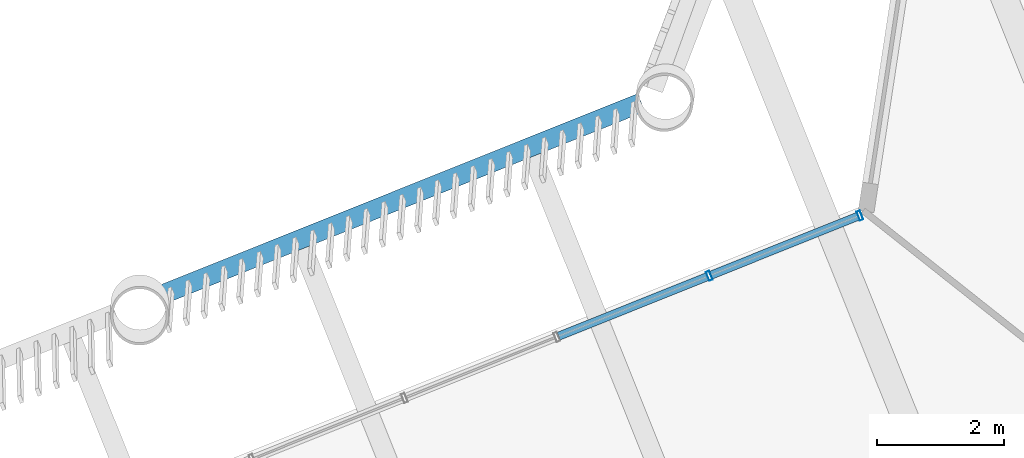
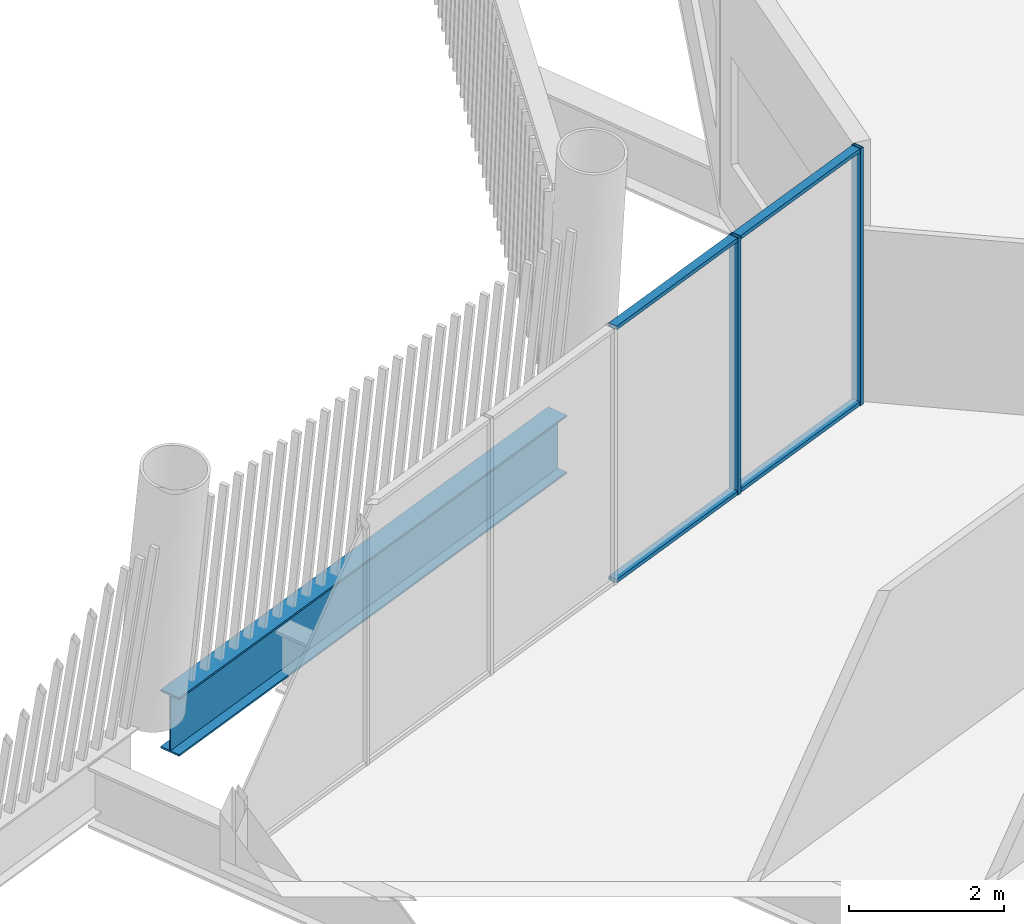
# One storey, part 12 of 27: 6 members, 1 beam, 1 element without a shape of its own.
"""IFC4 building model written with IfcOpenShell, lengths in metres."""

from ifc_helpers import new_model, si_unit, direction, frame, origin, origin_2d, place, context, subcontext, project, spatial, hollow_rectangle, i_section, extrude, material, layer, layer_set, material_profile, profile_set, type_object, element, aggregate, save


model = new_model("IFC4")

# Units and contexts
model_context = context("Model", 3, precision=1e-05, world=origin(), true_north=direction((0.0, 1.0)))
body_context = subcontext(model_context, "Body", "Model", "MODEL_VIEW")
ifc_project = project(units=[si_unit("LENGTHUNIT", "METRE"), si_unit("AREAUNIT", "SQUARE_METRE"), si_unit("VOLUMEUNIT", "CUBIC_METRE"), si_unit("PLANEANGLEUNIT", "RADIAN"), si_unit("MASSUNIT", "GRAM", prefix="KILO")], contexts=[model_context])

# Site, building, storey
site_placement = place(None, origin())
site = spatial("IfcSite", under=ifc_project, at=site_placement, CompositionType="ELEMENT")
building_placement = place(site_placement, origin())
building = spatial("IfcBuilding", under=site, at=building_placement, Name="Tarsis Ring Headquarters", CompositionType="ELEMENT")
storey_placement = place(building_placement, frame((0.0, 0.0, 373.39990234375)))
storey = spatial("IfcBuildingStorey", under=building, at=storey_placement, Name="L88", CompositionType="ELEMENT", Elevation=373.39990234375)

# Curtain wall, members
ifc_material_1 = material(Name="Aluminium curtain wall", Category="aluminium")
ifc_layer = layer(ifc_material_1, 0.14990234375)
ifc_layer_set = layer_set([ifc_layer], Name="Curtain wall tower unit")
curtain_wall_type = type_object("IfcCurtainWallType", Name="Curtain wall tower unit", PredefinedType="NOTDEFINED", material=ifc_layer_set)
curtain_wall_placement = place(storey_placement, origin())
curtain_wall = element("IfcCurtainWall", 1, at=curtain_wall_placement, inside=storey, type_object=curtain_wall_type, Name="Curtain wall L88-31", PredefinedType="NOTDEFINED")
ifc_material_2 = material(Name="Aluminium mullion", Category="aluminium")
ifc_material_profile_1 = material_profile(ifc_material_2, hollow_rectangle(XDim=0.14990234375, YDim=0.06005859375, WallThickness=0.0048828125, at=origin_2d()), Name="RHS 150x60x5")
ifc_profile_set_1 = profile_set([ifc_material_profile_1], Name="Aluminium mullion")
member_type_1 = type_object("IfcMemberType", Name="Curtain wall mullion tower unit RHS 150x60x5", PredefinedType="MULLION", material=ifc_profile_set_1)
member_1_placement = place(storey_placement, frame((-25.654296875, 2.511474609375, 0.0), z_axis=(0.0, 0.0, 1.0), x_axis=(0.372015909999, -0.928226353164, 0.0)))
member_1 = element("IfcMember", 2, at=member_1_placement, type_object=member_type_1, Name="CW-T mullion 1", PredefinedType="MULLION", context=body_context, shape_type="SweptSolid", body=[
    extrude(hollow_rectangle(XDim=0.14990234375, YDim=0.06005859375, WallThickness=0.0048828125, at=origin_2d()), origin(), (0.0, 0.0, 1.0), 4.0400390625),
])
member_2_placement = place(storey_placement, frame((-28.021484375, 1.562744140625, 0.0), z_axis=(0.0, 0.0, 1.0), x_axis=(0.372015909999, -0.928226353164, 0.0)))
member_2 = element("IfcMember", 3, at=member_2_placement, type_object=member_type_1, Name="CW-T mullion 2", PredefinedType="MULLION", context=body_context, shape_type="SweptSolid", body=[
    extrude(hollow_rectangle(XDim=0.14990234375, YDim=0.06005859375, WallThickness=0.0048828125, at=origin_2d()), origin(), (0.0, 0.0, 1.0), 4.0400390625),
])
ifc_material_3 = material(Name="Aluminium transom", Category="aluminium")
ifc_material_profile_2 = material_profile(ifc_material_3, hollow_rectangle(XDim=0.1298828125, YDim=0.06005859375, WallThickness=0.0048828125, at=origin_2d()), Name="RHS 130x60x5")
ifc_profile_set_2 = profile_set([ifc_material_profile_2], Name="Aluminium transom")
member_type_2 = type_object("IfcMemberType", Name="Curtain wall transom tower unit RHS 130x60x5", PredefinedType="USERDEFINED", material=ifc_profile_set_2)
member_3_placement = place(storey_placement, frame((-25.68212890625, 2.500244140625, 0.030029296875), z_axis=(-0.928246625148, -0.371965324864, 0.0), x_axis=(0.371965324864, -0.928246625148, 0.0)))
member_3 = element("IfcMember", 4, at=member_3_placement, type_object=member_type_2, Name="CW-T transom 1.1", ObjectType="TRANSOM", PredefinedType="USERDEFINED", context=body_context, shape_type="SweptSolid", body=[
    extrude(hollow_rectangle(XDim=0.1298828125, YDim=0.06005859375, WallThickness=0.0048828125, at=origin_2d()), origin(), (0.0, 0.0, 1.0), 2.490234375),
])
member_4_placement = place(storey_placement, frame((-25.68212890625, 2.500244140625, 4.010009765625), z_axis=(-0.928246625148, -0.371965324864, 0.0), x_axis=(0.371965324864, -0.928246625148, 0.0)))
member_4 = element("IfcMember", 5, at=member_4_placement, type_object=member_type_2, Name="CW-T transom 1.2", ObjectType="TRANSOM", PredefinedType="USERDEFINED", context=body_context, shape_type="SweptSolid", body=[
    extrude(hollow_rectangle(XDim=0.1298828125, YDim=0.06005859375, WallThickness=0.0048828125, at=origin_2d()), origin(), (0.0, 0.0, 1.0), 2.490234375),
])
member_5_placement = place(storey_placement, frame((-28.04931640625, 1.551513671875, 0.030029296875), z_axis=(-0.928235984201, -0.371991878452, 0.0), x_axis=(0.371991878452, -0.928235984201, 0.0)))
member_5 = element("IfcMember", 6, at=member_5_placement, type_object=member_type_2, Name="CW-T transom 2.1", ObjectType="TRANSOM", PredefinedType="USERDEFINED", context=body_context, shape_type="SweptSolid", body=[
    extrude(hollow_rectangle(XDim=0.1298828125, YDim=0.06005859375, WallThickness=0.0048828125, at=origin_2d()), origin(), (0.0, 0.0, 1.0), 2.520263671875),
])
member_6_placement = place(storey_placement, frame((-28.04931640625, 1.551513671875, 4.010009765625), z_axis=(-0.928235984201, -0.371991878452, 0.0), x_axis=(0.371991878452, -0.928235984201, 0.0)))
member_6 = element("IfcMember", 7, at=member_6_placement, type_object=member_type_2, Name="CW-T transom 2.2", ObjectType="TRANSOM", PredefinedType="USERDEFINED", context=body_context, shape_type="SweptSolid", body=[
    extrude(hollow_rectangle(XDim=0.1298828125, YDim=0.06005859375, WallThickness=0.0048828125, at=origin_2d()), origin(), (0.0, 0.0, 1.0), 2.520263671875),
])
aggregate(curtain_wall, [member_1, member_2, member_3, member_4, member_5, member_6])

# Beam
ifc_material_4 = material(Name="Structural steel S355", Category="steel")
ifc_material_profile_3 = material_profile(ifc_material_4, i_section(OverallWidth=0.3046875, OverallDepth=0.91943359375, WebThickness=0.017333984375, FlangeThickness=0.02783203125, at=origin_2d()), Name="W36x170")
ifc_profile_set_3 = profile_set([ifc_material_profile_3], Name="Structural steel S355")
beam_type = type_object("IfcBeamType", Name="XG Ring girder W36x170", PredefinedType="BEAM", material=ifc_profile_set_3)
beam_placement = place(storey_placement, frame((-29.08935546875, 4.285888671875, -0.459716796875), z_axis=(-0.928224307971, -0.372021012971, 0.0), x_axis=(0.372021012971, -0.928224307971, 0.0)))
element("IfcBeam", 8, at=beam_placement, inside=storey, type_object=beam_type, Name="Ring girder XG4", PredefinedType="BEAM", context=body_context, shape_type="SweptSolid", body=[
    extrude(i_section(OverallWidth=0.3046875, OverallDepth=0.91943359375, WebThickness=0.017333984375, FlangeThickness=0.02783203125, at=origin_2d()), origin(), (0.0, 0.0, 1.0), 8.0791015625),
])

save(model, "model.ifc")
